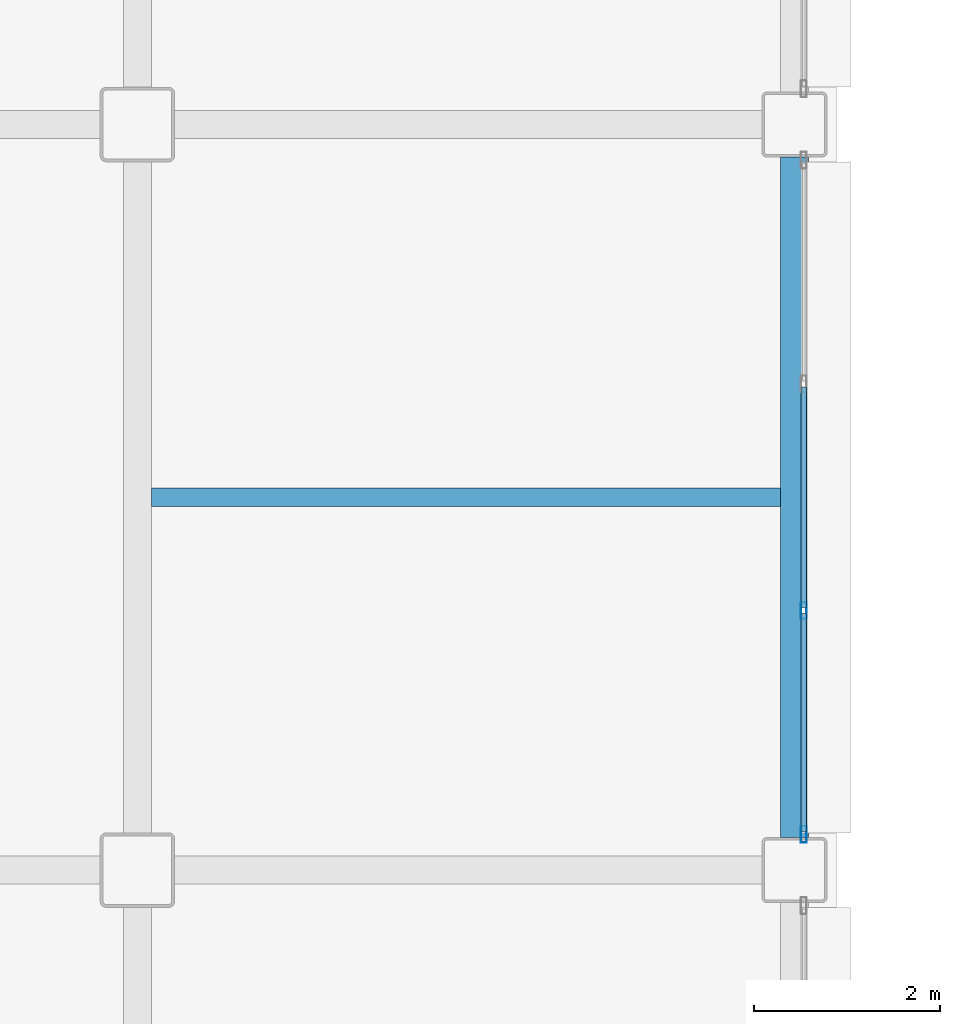
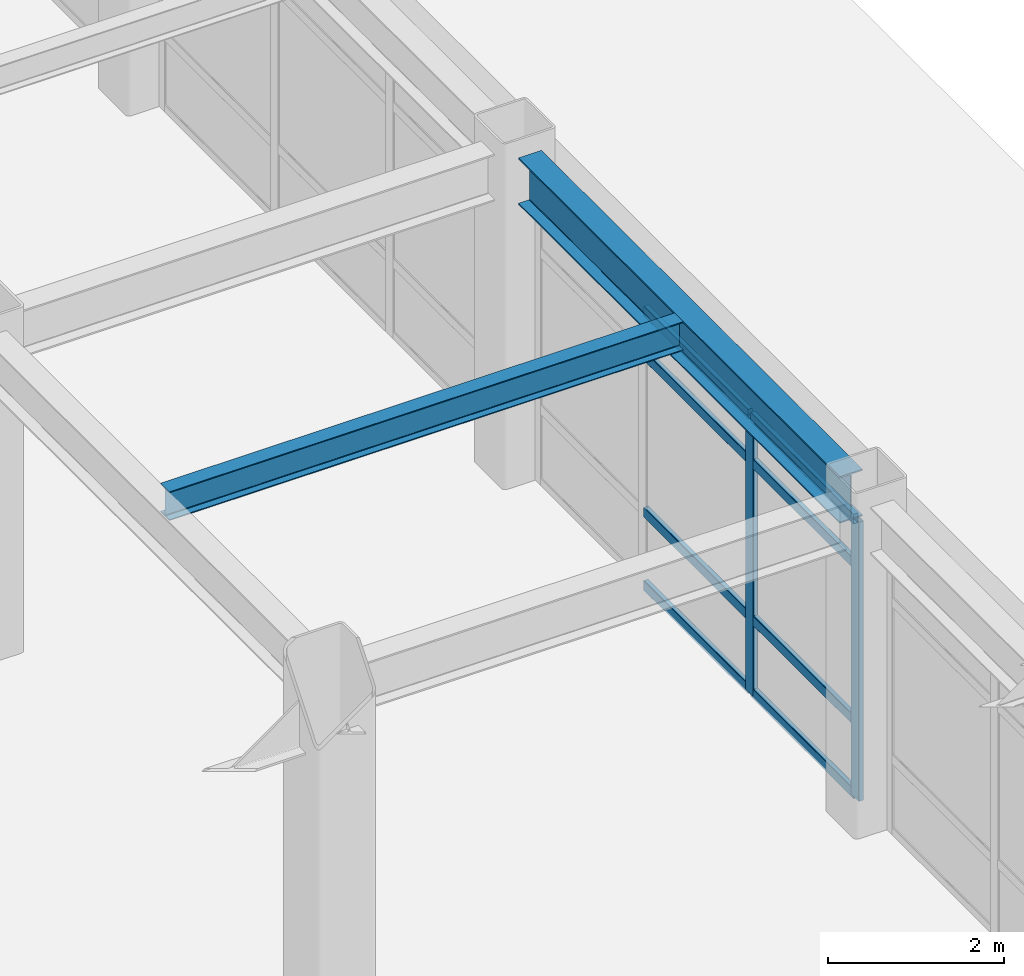
# One storey, part 116 of 172: 10 members, 2 beams, 1 element without a shape of its own.
"""IFC4 building model written with IfcOpenShell, lengths in metres."""

from ifc_helpers import new_model, si_unit, direction, frame, origin, origin_2d, place, context, subcontext, project, spatial, hollow_rectangle, i_section, extrude, material, layer, layer_set, material_profile, profile_set, type_object, element, aggregate, save


model = new_model("IFC4")

# Units and contexts
model_context = context("Model", 3, precision=1e-05, world=origin(), true_north=direction((0.0, 1.0)))
body_context = subcontext(model_context, "Body", "Model", "MODEL_VIEW")
ifc_project = project(units=[si_unit("LENGTHUNIT", "METRE"), si_unit("AREAUNIT", "SQUARE_METRE"), si_unit("VOLUMEUNIT", "CUBIC_METRE"), si_unit("PLANEANGLEUNIT", "RADIAN"), si_unit("MASSUNIT", "GRAM", prefix="KILO")], contexts=[model_context])

# Site, building, storey
site_placement = place(None, origin())
site = spatial("IfcSite", under=ifc_project, at=site_placement, CompositionType="ELEMENT")
building_placement = place(site_placement, origin())
building = spatial("IfcBuilding", under=site, at=building_placement, Name="Kazehara Bluff Congress Hotel", CompositionType="ELEMENT")
storey_placement = place(building_placement, frame((0.0, 0.0, 5.39990234375)))
storey = spatial("IfcBuildingStorey", under=building, at=storey_placement, Name="L01", CompositionType="ELEMENT", Elevation=5.39990234375)

# Curtain wall, members
ifc_material_1 = material(Name="Anodised aluminium", Category="aluminium")
ifc_layer = layer(ifc_material_1, 0.159912109375)
ifc_layer_set = layer_set([ifc_layer], Name="Anodised aluminium")
curtain_wall_type = type_object("IfcCurtainWallType", Name="TP-CW-80", PredefinedType="NOTDEFINED", material=ifc_layer_set)
curtain_wall_placement = place(storey_placement, origin())
curtain_wall = element("IfcCurtainWall", 1, at=curtain_wall_placement, inside=storey, type_object=curtain_wall_type, Name="L01 curtain wall CW-80 CW-ENC-V5-L01-16765-9290", PredefinedType="NOTDEFINED")
ifc_material_2 = material(Name="Anodised aluminium", Category="aluminium")
ifc_material_profile_1 = material_profile(ifc_material_2, hollow_rectangle(XDim=0.06494140625, YDim=0.179931640625, WallThickness=0.00390625, InnerFilletRadius=0.00390625, OuterFilletRadius=0.008056640625, at=origin_2d()))
ifc_profile_set_1 = profile_set([ifc_material_profile_1], Name="Anodised aluminium")
member_type_1 = type_object("IfcMemberType", Name="TP-CWM-02", PredefinedType="MULLION", material=ifc_profile_set_1)
member_1_placement = place(storey_placement, frame((167.64990234375, 91.683349609375, 0.0), z_axis=(0.0, 0.0, 1.0), x_axis=(1.0, 0.0, 0.0)))
member_1 = element("IfcMember", 2, at=member_1_placement, type_object=member_type_1, Name="CW-80 mullion 3", PredefinedType="MULLION", context=body_context, shape_type="SweptSolid", body=[
    extrude(hollow_rectangle(XDim=0.06494140625, YDim=0.179931640625, WallThickness=0.00390625, InnerFilletRadius=0.00390625, OuterFilletRadius=0.008056640625, at=origin_2d()), origin(), (0.0, 0.0, 1.0), 3.875),
])
member_2_placement = place(storey_placement, frame((167.64990234375, 89.282470703125, 0.0), z_axis=(0.0, 0.0, 1.0), x_axis=(1.0, 0.0, 0.0)))
member_2 = element("IfcMember", 3, at=member_2_placement, type_object=member_type_1, Name="CW-80 mullion 4", PredefinedType="MULLION", context=body_context, shape_type="SweptSolid", body=[
    extrude(hollow_rectangle(XDim=0.06494140625, YDim=0.179931640625, WallThickness=0.00390625, InnerFilletRadius=0.00390625, OuterFilletRadius=0.008056640625, at=origin_2d()), origin(), (0.0, 0.0, 1.0), 3.875),
])
ifc_material_3 = material(Name="Anodised aluminium", Category="aluminium")
ifc_material_profile_2 = material_profile(ifc_material_3, hollow_rectangle(XDim=0.06494140625, YDim=0.139892578125, WallThickness=0.00390625, InnerFilletRadius=0.00390625, OuterFilletRadius=0.008056640625, at=origin_2d()))
ifc_profile_set_2 = profile_set([ifc_material_profile_2], Name="Anodised aluminium")
member_type_2 = type_object("IfcMemberType", Name="TP-CWT-02", PredefinedType="USERDEFINED", material=ifc_profile_set_2)
member_3_placement = place(storey_placement, frame((167.64990234375, 94.084228515625, 0.03271484375), z_axis=(0.0, -1.0, 0.0), x_axis=(1.0, 0.0, 0.0)))
member_3 = element("IfcMember", 4, at=member_3_placement, type_object=member_type_2, Name="CW-80 transom 2.1", ObjectType="TRANSOM", PredefinedType="USERDEFINED", context=body_context, shape_type="SweptSolid", body=[
    extrude(hollow_rectangle(XDim=0.06494140625, YDim=0.139892578125, WallThickness=0.00390625, InnerFilletRadius=0.00390625, OuterFilletRadius=0.008056640625, at=origin_2d()), origin(), (0.0, 0.0, 1.0), 2.368408203125),
])
member_4_placement = place(storey_placement, frame((167.64990234375, 94.084228515625, 1.050048828125), z_axis=(0.0, -1.0, 0.0), x_axis=(1.0, 0.0, 0.0)))
member_4 = element("IfcMember", 5, at=member_4_placement, type_object=member_type_2, Name="CW-80 transom 2.2", ObjectType="TRANSOM", PredefinedType="USERDEFINED", context=body_context, shape_type="SweptSolid", body=[
    extrude(hollow_rectangle(XDim=0.06494140625, YDim=0.139892578125, WallThickness=0.00390625, InnerFilletRadius=0.00390625, OuterFilletRadius=0.008056640625, at=origin_2d()), origin(), (0.0, 0.0, 1.0), 2.368408203125),
])
member_5_placement = place(storey_placement, frame((167.64990234375, 94.084228515625, 3.22509765625), z_axis=(0.0, -1.0, 0.0), x_axis=(1.0, 0.0, 0.0)))
member_5 = element("IfcMember", 6, at=member_5_placement, type_object=member_type_2, Name="CW-80 transom 2.3", ObjectType="TRANSOM", PredefinedType="USERDEFINED", context=body_context, shape_type="SweptSolid", body=[
    extrude(hollow_rectangle(XDim=0.06494140625, YDim=0.139892578125, WallThickness=0.00390625, InnerFilletRadius=0.00390625, OuterFilletRadius=0.008056640625, at=origin_2d()), origin(), (0.0, 0.0, 1.0), 2.368408203125),
])
member_6_placement = place(storey_placement, frame((167.64990234375, 94.084228515625, 3.842529296875), z_axis=(0.0, -1.0, 0.0), x_axis=(1.0, 0.0, 0.0)))
member_6 = element("IfcMember", 7, at=member_6_placement, type_object=member_type_2, Name="CW-80 transom 2.4", ObjectType="TRANSOM", PredefinedType="USERDEFINED", context=body_context, shape_type="SweptSolid", body=[
    extrude(hollow_rectangle(XDim=0.06494140625, YDim=0.139892578125, WallThickness=0.00390625, InnerFilletRadius=0.00390625, OuterFilletRadius=0.008056640625, at=origin_2d()), origin(), (0.0, 0.0, 1.0), 2.368408203125),
])
member_7_placement = place(storey_placement, frame((167.64990234375, 91.65087890625, 0.03271484375), z_axis=(0.0, -1.0, 0.0), x_axis=(1.0, 0.0, 0.0)))
member_7 = element("IfcMember", 8, at=member_7_placement, type_object=member_type_2, Name="CW-80 transom 3.1", ObjectType="TRANSOM", PredefinedType="USERDEFINED", context=body_context, shape_type="SweptSolid", body=[
    extrude(hollow_rectangle(XDim=0.06494140625, YDim=0.139892578125, WallThickness=0.00390625, InnerFilletRadius=0.00390625, OuterFilletRadius=0.008056640625, at=origin_2d()), origin(), (0.0, 0.0, 1.0), 2.3359375),
])
member_8_placement = place(storey_placement, frame((167.64990234375, 91.65087890625, 1.050048828125), z_axis=(0.0, -1.0, 0.0), x_axis=(1.0, 0.0, 0.0)))
member_8 = element("IfcMember", 9, at=member_8_placement, type_object=member_type_2, Name="CW-80 transom 3.2", ObjectType="TRANSOM", PredefinedType="USERDEFINED", context=body_context, shape_type="SweptSolid", body=[
    extrude(hollow_rectangle(XDim=0.06494140625, YDim=0.139892578125, WallThickness=0.00390625, InnerFilletRadius=0.00390625, OuterFilletRadius=0.008056640625, at=origin_2d()), origin(), (0.0, 0.0, 1.0), 2.3359375),
])
member_9_placement = place(storey_placement, frame((167.64990234375, 91.65087890625, 3.22509765625), z_axis=(0.0, -1.0, 0.0), x_axis=(1.0, 0.0, 0.0)))
member_9 = element("IfcMember", 10, at=member_9_placement, type_object=member_type_2, Name="CW-80 transom 3.3", ObjectType="TRANSOM", PredefinedType="USERDEFINED", context=body_context, shape_type="SweptSolid", body=[
    extrude(hollow_rectangle(XDim=0.06494140625, YDim=0.139892578125, WallThickness=0.00390625, InnerFilletRadius=0.00390625, OuterFilletRadius=0.008056640625, at=origin_2d()), origin(), (0.0, 0.0, 1.0), 2.3359375),
])
member_10_placement = place(storey_placement, frame((167.64990234375, 91.65087890625, 3.842529296875), z_axis=(0.0, -1.0, 0.0), x_axis=(1.0, 0.0, 0.0)))
member_10 = element("IfcMember", 11, at=member_10_placement, type_object=member_type_2, Name="CW-80 transom 3.4", ObjectType="TRANSOM", PredefinedType="USERDEFINED", context=body_context, shape_type="SweptSolid", body=[
    extrude(hollow_rectangle(XDim=0.06494140625, YDim=0.139892578125, WallThickness=0.00390625, InnerFilletRadius=0.00390625, OuterFilletRadius=0.008056640625, at=origin_2d()), origin(), (0.0, 0.0, 1.0), 2.3359375),
])
aggregate(curtain_wall, [member_1, member_2, member_3, member_4, member_5, member_6, member_7, member_8, member_9, member_10])

# Beams
ifc_material_4 = material(Name="Steel SN490B", Category="steel")
ifc_material_profile_3 = material_profile(ifc_material_4, i_section(OverallWidth=0.300048828125, OverallDepth=0.64990234375, WebThickness=0.011962890625, FlangeThickness=0.02001953125, FilletRadius=0.012939453125, at=origin_2d()))
ifc_profile_set_3 = profile_set([ifc_material_profile_3], Name="Steel SN490B")
beam_type_1 = type_object("IfcBeamType", Name="TP-G-03", PredefinedType="BEAM", material=ifc_profile_set_3)
beam_1_placement = place(storey_placement, frame((167.550048828125, 89.25, 4.22509765625), z_axis=(0.0, 1.0, 0.0), x_axis=(-1.0, 0.0, 0.0)))
element("IfcBeam", 12, at=beam_1_placement, inside=storey, type_object=beam_type_1, Name="L01 girder G-03 268", PredefinedType="BEAM", context=body_context, shape_type="SweptSolid", body=[
    extrude(i_section(OverallWidth=0.300048828125, OverallDepth=0.64990234375, WebThickness=0.011962890625, FlangeThickness=0.02001953125, FilletRadius=0.012939453125, at=origin_2d()), origin(), (0.0, 0.0, 1.0), 7.300048828125),
])
ifc_material_5 = material(Name="Steel SN400B", Category="steel")
ifc_material_profile_4 = material_profile(ifc_material_5, i_section(OverallWidth=0.199951171875, OverallDepth=0.39990234375, WebThickness=0.008056640625, FlangeThickness=0.012939453125, FilletRadius=0.012939453125, at=origin_2d()))
ifc_profile_set_4 = profile_set([ifc_material_profile_4], Name="Steel SN400B")
beam_type_2 = type_object("IfcBeamType", Name="TP-J-03", PredefinedType="JOIST", material=ifc_profile_set_4)
beam_2_placement = place(storey_placement, frame((160.64990234375, 92.89990234375, 4.35009765625), z_axis=(1.0, 0.0, 0.0), x_axis=(0.0, 1.0, 0.0)))
element("IfcBeam", 13, at=beam_2_placement, inside=storey, type_object=beam_type_2, Name="L01 secondary joist J-03 79", PredefinedType="JOIST", context=body_context, shape_type="SweptSolid", body=[
    extrude(i_section(OverallWidth=0.199951171875, OverallDepth=0.39990234375, WebThickness=0.008056640625, FlangeThickness=0.012939453125, FilletRadius=0.012939453125, at=origin_2d()), origin(), (0.0, 0.0, 1.0), 6.75),
])

save(model, "model.ifc")
